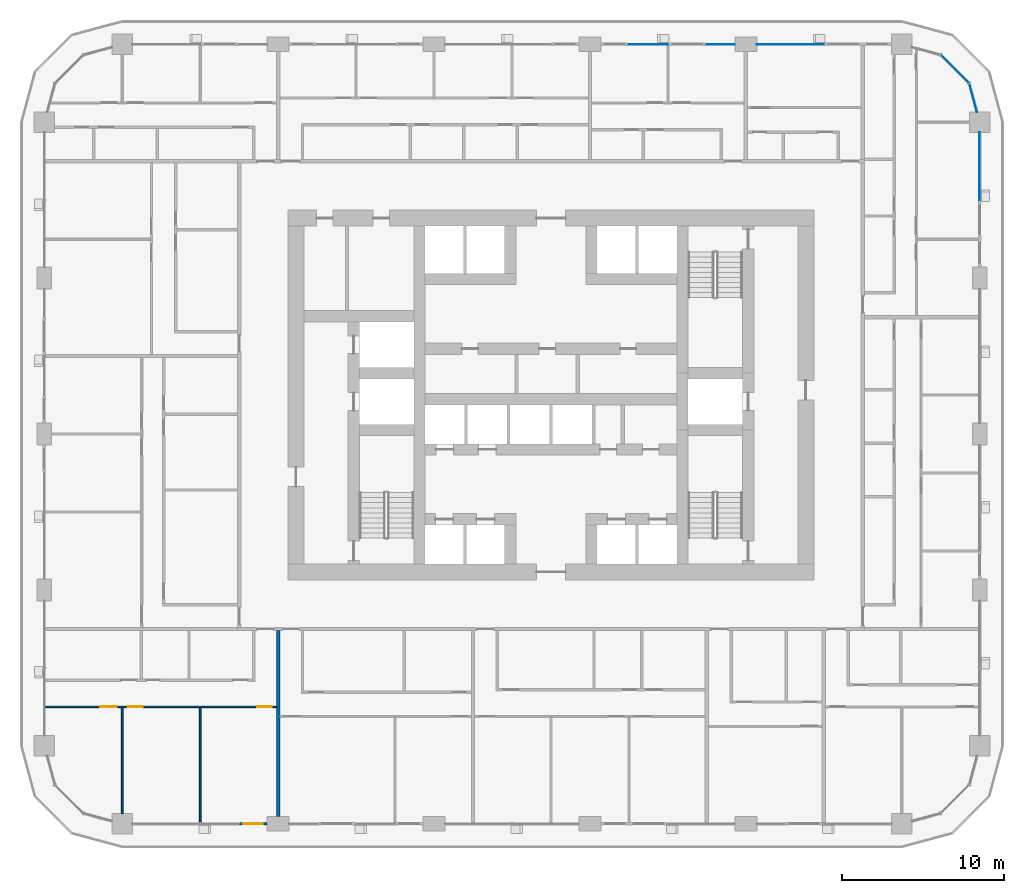
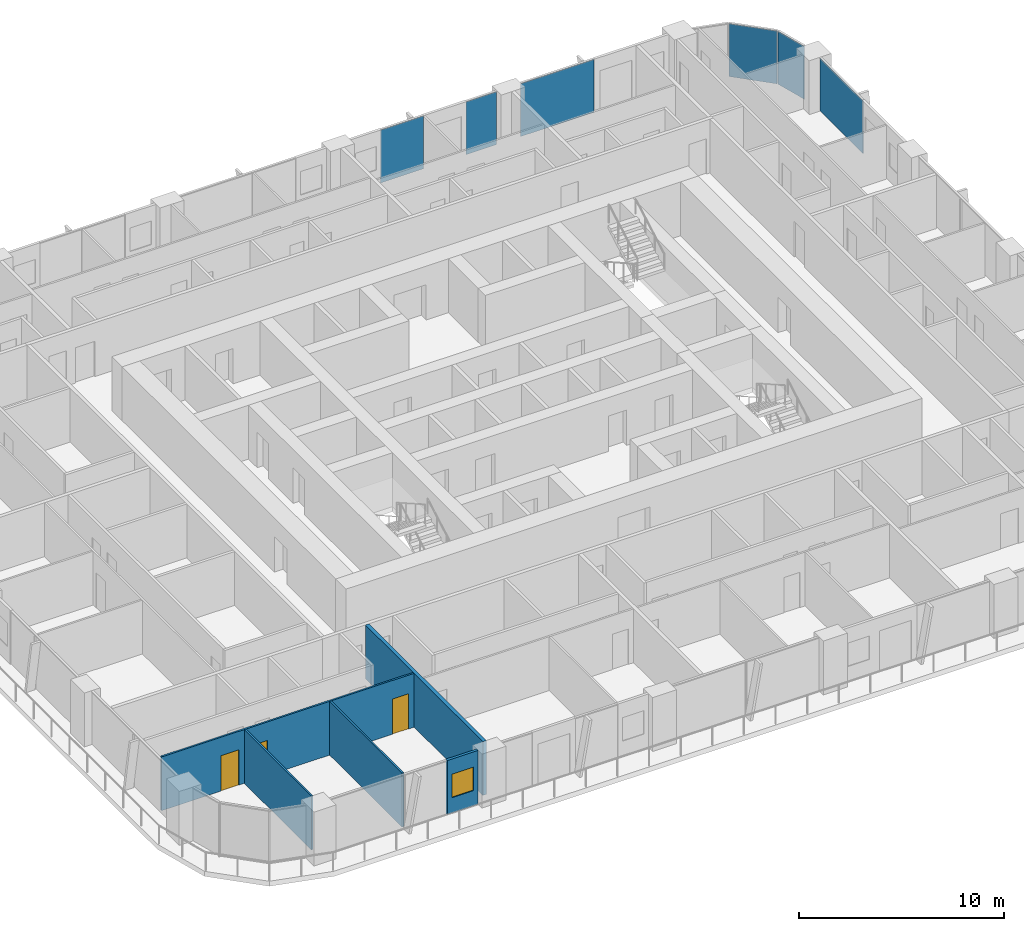
# One storey, part 8 of 21: 6 plates, 5 walls, 3 doors, 1 window, 4 openings, 4 elements without a shape of their own.
"""IFC4 building model written with IfcOpenShell, lengths in metres."""

import ifcopenshell
import ifcopenshell.guid

model = None  # the IFC model being written
_history = None  # IfcOwnerHistory: only IFC2X3 demands one
_inside = {}  # id of a spatial element -> (the spatial element, [elements in it])
_under = {}  # id of a project, library or spatial element -> (it, [spatial elements below it])
_declared = {}  # id of a project -> (the project, [libraries it declares])
_typed = {}  # id of a type object -> (the type object, [elements of that type])
_made_of = {}  # id of a material, layer set ... -> (it, [elements and type objects made of it])


def new_model(schema):
    """Start an empty IFC model of exactly this schema.

    Asked for "IFC4X3", IfcOpenShell would pick the latest addendum, in which some entities
    have other attributes; the version numbers below select the first issue.
    IFC2X3 requires an IfcOwnerHistory on every rooted entity: one is made here for all.
    """
    global model, _history
    if schema == "IFC4X3":
        model = ifcopenshell.file(schema_version=(4, 3, 0, 0))
    else:
        model = ifcopenshell.file(schema=schema)
    _inside.clear()
    _under.clear()
    _declared.clear()
    _typed.clear()
    _made_of.clear()
    _history = None
    if model.schema == "IFC2X3":
        org = make("IfcOrganization", Name="unknown")
        user = make(
            "IfcPersonAndOrganization",
            ThePerson=make("IfcPerson", FamilyName="unknown"),
            TheOrganization=org,
        )
        app = make(
            "IfcApplication",
            ApplicationDeveloper=org,
            Version="unknown",
            ApplicationFullName="unknown",
            ApplicationIdentifier="unknown",
        )
        _history = make(
            "IfcOwnerHistory",
            OwningUser=user,
            OwningApplication=app,
            ChangeAction="ADDED",
            CreationDate=0,
        )
    return model


def make(cls, **values):
    """One entity of the class cls with the attributes given. An attribute that is None is left unset."""
    return model.create_entity(
        cls, **{name: value for name, value in values.items() if value is not None}
    )


def rooted(cls, **values):
    """An entity with a GlobalId (a new one), such as an element, a storey or a relation."""
    return make(cls, GlobalId=ifcopenshell.guid.new(), OwnerHistory=_history, **values)


def si_unit(unit_type, name, prefix=None):
    """IfcSIUnit, for example si_unit("LENGTHUNIT", "METRE", prefix="MILLI")."""
    return make("IfcSIUnit", UnitType=unit_type, Prefix=prefix, Name=name)


def assignment(units):
    """IfcUnitAssignment: the units of a project."""
    return None if units is None else make("IfcUnitAssignment", Units=units)


def point(xyz):
    """IfcCartesianPoint."""
    return None if xyz is None else make("IfcCartesianPoint", Coordinates=xyz)


def direction(xyz):
    """IfcDirection."""
    return None if xyz is None else make("IfcDirection", DirectionRatios=xyz)


def frame(location, z_axis=None, x_axis=None):
    """IfcAxis2Placement3D, a coordinate frame: its origin and axes. An axis left out is left unset."""
    return make(
        "IfcAxis2Placement3D",
        Location=point(location),
        Axis=direction(z_axis),
        RefDirection=direction(x_axis),
    )


def frame_2d(location, x_axis=None):
    """IfcAxis2Placement2D, a coordinate frame in the plane: its origin and x axis."""
    return make(
        "IfcAxis2Placement2D", Location=point(location), RefDirection=direction(x_axis)
    )


def origin():
    """The frame at (0, 0, 0) with its axes left unset."""
    return frame((0.0, 0.0, 0.0))


def origin_2d():
    """The frame at (0, 0) in the plane with its x axis left unset."""
    return frame_2d((0.0, 0.0))


def place(relative_to, where):
    """IfcLocalPlacement: puts the frame where relative to a parent placement (None: the world)."""
    return make(
        "IfcLocalPlacement", PlacementRelTo=relative_to, RelativePlacement=where
    )


def context(
    kind, dimensions, precision=None, world=None, true_north=None, identifier=None
):
    """IfcGeometricRepresentationContext, for example the 3D "Model" context."""
    return make(
        "IfcGeometricRepresentationContext",
        ContextIdentifier=identifier,
        ContextType=kind,
        CoordinateSpaceDimension=dimensions,
        Precision=precision,
        WorldCoordinateSystem=world,
        TrueNorth=true_north,
    )


def subcontext(parent, identifier, kind, view, scale=None):
    """IfcGeometricRepresentationSubContext, for example "Body" below "Model"."""
    return make(
        "IfcGeometricRepresentationSubContext",
        ContextIdentifier=identifier,
        ContextType=kind,
        ParentContext=parent,
        TargetScale=scale,
        TargetView=view,
    )


def project(units=None, contexts=None):
    """IfcProject with its units and contexts."""
    return rooted(
        "IfcProject",
        Name="project",
        RepresentationContexts=contexts,
        UnitsInContext=assignment(units),
    )


def spatial(cls, under=None, at=None, **own):
    """A site, building, storey or space (cls), placed at a placement, below another one or the project."""
    s = rooted(cls, ObjectPlacement=at, **own)
    if under is not None:
        _under.setdefault(under.id(), (under, []))[1].append(s)
    return s


def profile(cls, at=None, kind="AREA", **sizes):
    """A parametric profile (cls). Its sizes go by their IFC names, for example OverallWidth=200.0."""
    return make(cls, ProfileType=kind, Position=at, **sizes)


def rectangle(**sizes):
    """IfcRectangleProfileDef."""
    return profile("IfcRectangleProfileDef", **sizes)


def extrude(swept, where, along, depth):
    """IfcExtrudedAreaSolid: the profile swept, set in the frame where, extruded along a direction by depth."""
    return make(
        "IfcExtrudedAreaSolid",
        SweptArea=swept,
        Position=where,
        ExtrudedDirection=direction(along),
        Depth=depth,
    )


def shape(context_of_items, identifier, shape_type, items):
    """IfcShapeRepresentation: the items that make up one representation, for example the "Body"."""
    return make(
        "IfcShapeRepresentation",
        ContextOfItems=context_of_items,
        RepresentationIdentifier=identifier,
        RepresentationType=shape_type,
        Items=items,
    )


def material(Name=None, Category=None):
    """IfcMaterial."""
    return make("IfcMaterial", Name=Name, Category=Category)


def layer(
    of_material, thickness, ventilated=None, Name=None, Category=None, Priority=None
):
    """IfcMaterialLayer: one layer of a wall or slab, of a material (None: an air gap)."""
    return make(
        "IfcMaterialLayer",
        Material=of_material,
        LayerThickness=thickness,
        IsVentilated=ventilated,
        Name=Name,
        Category=Category,
        Priority=Priority,
    )


def layer_set(layers, Name=None):
    """IfcMaterialLayerSet."""
    return make("IfcMaterialLayerSet", MaterialLayers=layers, LayerSetName=Name)


def made_of(thing, what):
    """Note that an element or type object is made of a material, layer set ...; save() writes the relation."""
    if what is not None:
        _made_of.setdefault(what.id(), (what, []))[1].append(thing)
    return thing


def type_object(cls, material=None, **own):
    """A type object (cls), such as IfcWallType, which elements share."""
    return made_of(rooted(cls, **own), material)


def element(
    cls,
    number,
    at=None,
    inside=None,
    cuts=None,
    type_object=None,
    material=None,
    context=None,
    identifier="Body",
    shape_type=None,
    held_by="IfcProductDefinitionShape",
    body=None,
    shapes=None,
    **own,
):
    """One element of the class cls, such as IfcWall. Its Tag is "e" and its number.

    at: its placement. inside: the storey or other place that contains it. cuts: it is an
    opening in that element (IfcRelVoidsElement). A single representation is given by context,
    identifier, shape_type and body (its items); several are given by shapes. held_by: the class
    of the entity that holds the representations. save() writes the other relations.
    """
    e = rooted(cls, Tag="e%d" % number, ObjectPlacement=at, **own)
    if body is not None:
        shapes = [shape(context, identifier, shape_type, body)]
    if shapes is not None:
        e.Representation = make(held_by, Representations=shapes)
    if inside is not None:
        _inside.setdefault(inside.id(), (inside, []))[1].append(e)
    if cuts is not None:
        rooted(
            "IfcRelVoidsElement", RelatingBuildingElement=cuts, RelatedOpeningElement=e
        )
    if type_object is not None:
        _typed.setdefault(type_object.id(), (type_object, []))[1].append(e)
    return made_of(e, material)


def fill(opening, filler):
    """IfcRelFillsElement: the door or window that sits in an opening."""
    return rooted(
        "IfcRelFillsElement",
        RelatingOpeningElement=opening,
        RelatedBuildingElement=filler,
    )


def aggregate(whole, parts):
    """IfcRelAggregates: a whole, such as a stair, and the parts it consists of."""
    return rooted("IfcRelAggregates", RelatingObject=whole, RelatedObjects=parts)


def save(model, path):
    """Write the relations noted so far, then the file.

    IfcRelAggregates (storeys below a building ...), IfcRelContainedInSpatialStructure (elements
    in a storey), IfcRelDefinesByType, IfcRelAssociatesMaterial and IfcRelDeclares: one each for
    every whole, place, type object, material and project.
    """
    for whole, parts in _under.values():
        aggregate(whole, parts)
    for where, things in _inside.values():
        rooted(
            "IfcRelContainedInSpatialStructure",
            RelatedElements=things,
            RelatingStructure=where,
        )
    for kind, things in _typed.values():
        rooted("IfcRelDefinesByType", RelatedObjects=things, RelatingType=kind)
    for what, things in _made_of.values():
        rooted("IfcRelAssociatesMaterial", RelatedObjects=things, RelatingMaterial=what)
    for by, libraries in _declared.values():
        rooted("IfcRelDeclares", RelatingContext=by, RelatedDefinitions=libraries)
    model.write(path)


model = new_model("IFC4")

# Units and contexts
model_context = context("Model", 3, precision=1e-05, world=origin(), true_north=direction((0.0, 1.0)))
body_context = subcontext(model_context, "Body", "Model", "MODEL_VIEW")
ifc_project = project(units=[si_unit("LENGTHUNIT", "METRE"), si_unit("AREAUNIT", "SQUARE_METRE"), si_unit("VOLUMEUNIT", "CUBIC_METRE"), si_unit("PLANEANGLEUNIT", "RADIAN"), si_unit("MASSUNIT", "GRAM", prefix="KILO")], contexts=[model_context])

# Site, building, storey
site_placement = place(None, origin())
site = spatial("IfcSite", under=ifc_project, at=site_placement, CompositionType="ELEMENT")
building_placement = place(site_placement, origin())
building = spatial("IfcBuilding", under=site, at=building_placement, Name="Madar Terraces", CompositionType="ELEMENT")
storey_placement = place(building_placement, frame((0.0, 0.0, 32.89990234375)))
storey = spatial("IfcBuildingStorey", under=building, at=storey_placement, Name="L07", CompositionType="ELEMENT", Elevation=32.89990234375)

# Curtain wall, plate
ifc_material_1 = material(Name="Glass, ceramic frit dark grey, with black aluminium frame", Category="aluminium")
ifc_layer_1 = layer(ifc_material_1, 0.199951171875)
ifc_layer_set_1 = layer_set([ifc_layer_1], Name="Facade curtain wall, fritted glass")
curtain_wall_type = type_object("IfcCurtainWallType", Name="Facade curtain wall, fritted glass", PredefinedType="NOTDEFINED", material=ifc_layer_set_1)
curtain_wall_1_placement = place(storey_placement, origin())
curtain_wall_1 = element("IfcCurtainWall", 1, at=curtain_wall_1_placement, inside=storey, type_object=curtain_wall_type, Name="Outer skin curtain wall east bay 4", PredefinedType="NOTDEFINED")
ifc_material_2 = material(Name="Glass, ceramic frit dark grey", Category="glass")
ifc_layer_2 = layer(ifc_material_2, 0.028076171875)
ifc_layer_set_2 = layer_set([ifc_layer_2], Name="Facade glass panel 28")
plate_type = type_object("IfcPlateType", Name="Facade glass panel 28", PredefinedType="CURTAIN_PANEL", material=ifc_layer_set_2)
plate_1_placement = place(storey_placement, frame((57.60009765625, 40.487548828125, 0.0), z_axis=(0.0, 0.0, 1.0), x_axis=(0.0, 1.0, 0.0)))
plate_1 = element("IfcPlate", 2, at=plate_1_placement, type_object=plate_type, Name="Panel 1", PredefinedType="CURTAIN_PANEL", context=body_context, shape_type="SweptSolid", body=[
    extrude(rectangle(XDim=4.175048828125, YDim=0.028076171875, at=origin_2d()), origin(), (0.0, 0.0, 1.0), 3.139892578125),
])
aggregate(curtain_wall_1, [plate_1])

curtain_wall_2_placement = place(storey_placement, origin())
curtain_wall_2 = element("IfcCurtainWall", 3, at=curtain_wall_2_placement, inside=storey, type_object=curtain_wall_type, Name="Outer skin curtain wall north bay 1", PredefinedType="NOTDEFINED")
plate_2_placement = place(storey_placement, frame((45.9375, 48.0, 0.0), z_axis=(0.0, 0.0, 1.0), x_axis=(-1.0, 0.0, 0.0)))
plate_2 = element("IfcPlate", 4, at=plate_2_placement, type_object=plate_type, Name="Panel 1", PredefinedType="CURTAIN_PANEL", context=body_context, shape_type="SweptSolid", body=[
    extrude(rectangle(XDim=4.125, YDim=0.028076171875, at=origin_2d()), origin(), (0.0, 0.0, 1.0), 3.139892578125),
])
aggregate(curtain_wall_2, [plate_2])

# Curtain wall, plates
curtain_wall_3_placement = place(storey_placement, origin())
curtain_wall_3 = element("IfcCurtainWall", 5, at=curtain_wall_3_placement, inside=storey, type_object=curtain_wall_type, Name="Outer skin curtain wall north bay 2", PredefinedType="NOTDEFINED")
plate_3_placement = place(storey_placement, frame((41.66259765625, 48.0, 0.0), z_axis=(0.0, 0.0, 1.0), x_axis=(-1.0, 0.0, 0.0)))
plate_3 = element("IfcPlate", 6, at=plate_3_placement, type_object=plate_type, Name="Panel 1", PredefinedType="CURTAIN_PANEL", context=body_context, shape_type="SweptSolid", body=[
    extrude(rectangle(XDim=1.72509765625, YDim=0.028076171875, at=origin_2d()), origin(), (0.0, 0.0, 1.0), 3.139892578125),
])
plate_4_placement = place(storey_placement, frame((37.199951171875, 48.0, 0.0), z_axis=(0.0, 0.0, 1.0), x_axis=(-1.0, 0.0, 0.0)))
plate_4 = element("IfcPlate", 7, at=plate_4_placement, type_object=plate_type, Name="Panel 2", PredefinedType="CURTAIN_PANEL", context=body_context, shape_type="SweptSolid", body=[
    extrude(rectangle(XDim=2.39990234375, YDim=0.028076171875, at=origin_2d()), origin(), (0.0, 0.0, 1.0), 3.139892578125),
])
aggregate(curtain_wall_3, [plate_3, plate_4])

curtain_wall_4_placement = place(storey_placement, origin())
curtain_wall_4 = element("IfcCurtainWall", 8, at=curtain_wall_4_placement, inside=storey, type_object=curtain_wall_type, Name="Outer skin curtain wall north-east corner", PredefinedType="NOTDEFINED")
plate_5_placement = place(storey_placement, frame((57.19873046875, 44.697998046875, 0.0), z_axis=(0.0, 0.0, 1.0), x_axis=(-0.258819021888, 0.965925832509, 0.0)))
plate_5 = element("IfcPlate", 9, at=plate_5_placement, type_object=plate_type, Name="Panel 1", PredefinedType="CURTAIN_PANEL", context=body_context, shape_type="SweptSolid", body=[
    extrude(rectangle(XDim=1.8076171875, YDim=0.028076171875, at=origin_2d()), origin(), (0.0, 0.0, 1.0), 3.139892578125),
])
plate_6_placement = place(storey_placement, frame((56.078369140625, 46.478515625, 0.0), z_axis=(0.0, 0.0, 1.0), x_axis=(-0.707106781187, 0.707106781187, 0.0)))
plate_6 = element("IfcPlate", 10, at=plate_6_placement, type_object=plate_type, Name="Panel 2", PredefinedType="CURTAIN_PANEL", context=body_context, shape_type="SweptSolid", body=[
    extrude(rectangle(XDim=2.424560546875, YDim=0.028076171875, at=origin_2d()), origin(), (0.0, 0.0, 1.0), 3.139892578125),
])
aggregate(curtain_wall_4, [plate_5, plate_6])

# Wall, opening, window
ifc_material_3 = material(Name="Aluminium composite panel, black, over insulated backing", Category="aluminium")
ifc_layer_3 = layer(ifc_material_3, 0.14990234375)
ifc_layer_set_3 = layer_set([ifc_layer_3], Name="Facade bay panel 150")
wall_type_1 = type_object("IfcWallType", Name="Facade bay panel 150", PredefinedType="SOLIDWALL", material=ifc_layer_set_3)
wall_1_placement = place(storey_placement, frame((12.0, 0.0, 0.0), z_axis=(0.0, 0.0, 1.0), x_axis=(1.0, 0.0, 0.0)))
wall_1 = element("IfcWall", 11, at=wall_1_placement, inside=storey, type_object=wall_type_1, Name="Facade bay panel", PredefinedType="SOLIDWALL", context=body_context, shape_type="SweptSolid", body=[
    extrude(rectangle(XDim=1.72509765625, YDim=0.14990234375, at=frame_2d((0.862548828125, 0.0))), origin(), (0.0, 0.0, 1.0), 3.2001953125),
])
opening_1_placement = place(wall_1_placement, frame((0.262451171875, 0.0, 0.89990234375)))
opening_1 = element("IfcOpeningElement", 12, at=opening_1_placement, cuts=wall_1, Name="Opening W1", PredefinedType="OPENING", context=body_context, shape_type="SweptSolid", body=[
    extrude(rectangle(XDim=1.199951171875, YDim=1.39990234375, at=frame_2d((0.60009765625, 0.699951171875))), frame((0.0, 0.0849609375, 0.0), z_axis=(0.0, -1.0, 0.0), x_axis=(1.0, 0.0, 0.0)), (0.0, 0.0, 1.0), 0.169921875),
])
ifc_material_4 = material(Name="Glass, clear, with black aluminium frame", Category="aluminium")
window_type = type_object("IfcWindowType", Name="Vent window 1200 x 1400", PartitioningType="SINGLE_PANEL", PredefinedType="WINDOW", material=ifc_material_4)
window_placement = place(opening_1_placement, origin())
window = element("IfcWindow", 13, at=window_placement, inside=storey, type_object=window_type, Name="Operable vent window", OverallHeight=1.39990234375, OverallWidth=1.199951171875, PartitioningType="SINGLE_PANEL", PredefinedType="WINDOW", context=body_context, shape_type="SweptSolid", body=[
    extrude(rectangle(XDim=1.199951171875, YDim=1.39990234375, at=frame_2d((0.60009765625, 0.699951171875))), frame((0.0, 0.030029296875, 0.0), z_axis=(0.0, -1.0, 0.0), x_axis=(1.0, 0.0, 0.0)), (0.0, 0.0, 1.0), 0.06005859375),
])
fill(opening_1, window)

# Walls
ifc_material_5 = material(Name="Gypsum board on steel studs", Category="steel")
ifc_layer_4 = layer(ifc_material_5, 0.10009765625)
ifc_layer_set_4 = layer_set([ifc_layer_4], Name="Flat partition 100")
wall_type_2 = type_object("IfcWallType", Name="Flat partition 100", PredefinedType="PARTITIONING", material=ifc_layer_set_4)
wall_2_placement = place(storey_placement, frame((9.60009765625, 7.14990234375, 0.0), z_axis=(0.0, 0.0, 1.0), x_axis=(0.0, -1.0, 0.0)))
element("IfcWall", 14, at=wall_2_placement, inside=storey, type_object=wall_type_2, Name="Flat partition 100", PredefinedType="PARTITIONING", context=body_context, shape_type="SweptSolid", body=[
    extrude(rectangle(XDim=7.0498046875, YDim=0.10009765625, at=frame_2d((3.52490234375, 0.0))), origin(), (0.0, 0.0, 1.0), 3.2001953125),
])
wall_3_placement = place(storey_placement, frame((4.800048828125, 7.14990234375, 0.0), z_axis=(0.0, 0.0, 1.0), x_axis=(0.0, -1.0, 0.0)))
element("IfcWall", 15, at=wall_3_placement, inside=storey, type_object=wall_type_2, Name="Flat partition 100", PredefinedType="PARTITIONING", context=body_context, shape_type="SweptSolid", body=[
    extrude(rectangle(XDim=6.52490234375, YDim=0.10009765625, at=frame_2d((3.262451171875, 0.0))), origin(), (0.0, 0.0, 1.0), 3.2001953125),
])

# Wall, openings, doors
wall_4_placement = place(storey_placement, frame((14.300048828125, 7.199951171875, 0.0), z_axis=(0.0, 0.0, 1.0), x_axis=(-1.0, 0.0, 0.0)))
wall_4 = element("IfcWall", 16, at=wall_4_placement, inside=storey, type_object=wall_type_2, Name="Flat partition 100", PredefinedType="PARTITIONING", context=body_context, shape_type="SweptSolid", body=[
    extrude(rectangle(XDim=14.199951171875, YDim=0.10009765625, at=frame_2d((7.10009765625, 0.0))), origin(), (0.0, 0.0, 1.0), 3.2001953125),
])
opening_2_placement = place(wall_4_placement, frame((0.300048828125, 0.0, 0.0)))
opening_2 = element("IfcOpeningElement", 17, at=opening_2_placement, cuts=wall_4, Name="Opening D2", PredefinedType="OPENING", context=body_context, shape_type="SweptSolid", body=[
    extrude(rectangle(XDim=0.89990234375, YDim=2.10009765625, at=frame_2d((0.449951171875, 1.050048828125))), frame((0.0, 0.06005859375, 0.0), z_axis=(0.0, -1.0, 0.0), x_axis=(1.0, 0.0, 0.0)), (0.0, 0.0, 1.0), 0.1201171875),
])
opening_3_placement = place(wall_4_placement, frame((8.25, 0.0, 0.0)))
opening_3 = element("IfcOpeningElement", 18, at=opening_3_placement, cuts=wall_4, Name="Opening D2", PredefinedType="OPENING", context=body_context, shape_type="SweptSolid", body=[
    extrude(rectangle(XDim=0.89990234375, YDim=2.10009765625, at=frame_2d((0.449951171875, 1.050048828125))), frame((0.0, 0.06005859375, 0.0), z_axis=(0.0, -1.0, 0.0), x_axis=(1.0, 0.0, 0.0)), (0.0, 0.0, 1.0), 0.1201171875),
])
opening_4_placement = place(wall_4_placement, frame((9.85009765625, 0.0, 0.0)))
opening_4 = element("IfcOpeningElement", 19, at=opening_4_placement, cuts=wall_4, Name="Opening D3", PredefinedType="OPENING", context=body_context, shape_type="SweptSolid", body=[
    extrude(rectangle(XDim=1.0, YDim=2.10009765625, at=frame_2d((0.5, 1.050048828125))), frame((0.0, 0.06005859375, 0.0), z_axis=(0.0, -1.0, 0.0), x_axis=(1.0, 0.0, 0.0)), (0.0, 0.0, 1.0), 0.1201171875),
])
ifc_material_6 = material(Name="Timber door leaf", Category="wood")
door_type_1 = type_object("IfcDoorType", Name="Flat living room door 1000", OperationType="NOTDEFINED", PredefinedType="DOOR", material=ifc_material_6)
door_1_placement = place(opening_4_placement, origin())
door_1 = element("IfcDoor", 20, at=door_1_placement, inside=storey, type_object=door_type_1, Name="Flat living room door 1000", OperationType="SINGLE_SWING_LEFT", OverallHeight=2.10009765625, OverallWidth=1.0, PredefinedType="DOOR", context=body_context, shape_type="SweptSolid", body=[
    extrude(rectangle(XDim=1.0, YDim=2.10009765625, at=frame_2d((0.5, 1.050048828125))), frame((0.0, 0.02490234375, 0.0), z_axis=(0.0, -1.0, 0.0), x_axis=(1.0, 0.0, 0.0)), (0.0, 0.0, 1.0), 0.050048828125),
])
fill(opening_4, door_1)
ifc_material_7 = material(Name="Timber door leaf", Category="wood")
door_type_2 = type_object("IfcDoorType", Name="Flat room door 900", OperationType="NOTDEFINED", PredefinedType="DOOR", material=ifc_material_7)
door_2_placement = place(opening_2_placement, origin())
door_2 = element("IfcDoor", 21, at=door_2_placement, inside=storey, type_object=door_type_2, Name="Flat room door 900", OperationType="SINGLE_SWING_LEFT", OverallHeight=2.10009765625, OverallWidth=0.89990234375, PredefinedType="DOOR", context=body_context, shape_type="SweptSolid", body=[
    extrude(rectangle(XDim=0.89990234375, YDim=2.10009765625, at=frame_2d((0.449951171875, 1.050048828125))), frame((0.0, 0.02490234375, 0.0), z_axis=(0.0, -1.0, 0.0), x_axis=(1.0, 0.0, 0.0)), (0.0, 0.0, 1.0), 0.050048828125),
])
fill(opening_2, door_2)
door_3_placement = place(opening_3_placement, origin())
door_3 = element("IfcDoor", 22, at=door_3_placement, inside=storey, type_object=door_type_2, Name="Flat room door 900", OperationType="SINGLE_SWING_RIGHT", OverallHeight=2.10009765625, OverallWidth=0.89990234375, PredefinedType="DOOR", context=body_context, shape_type="SweptSolid", body=[
    extrude(rectangle(XDim=0.89990234375, YDim=2.10009765625, at=frame_2d((0.449951171875, 1.050048828125))), frame((0.0, 0.02490234375, 0.0), z_axis=(0.0, -1.0, 0.0), x_axis=(1.0, 0.0, 0.0)), (0.0, 0.0, 1.0), 0.050048828125),
])
fill(opening_3, door_3)

# Wall
ifc_material_8 = material(Name="Lightweight blockwork", Category="masonry")
ifc_layer_5 = layer(ifc_material_8, 0.199951171875)
ifc_layer_set_5 = layer_set([ifc_layer_5], Name="Flat party and entrance wall 200")
wall_type_3 = type_object("IfcWallType", Name="Flat party and entrance wall 200", PredefinedType="PARTITIONING", material=ifc_layer_set_5)
wall_5_placement = place(storey_placement, frame((14.39990234375, 11.89990234375, 0.0), z_axis=(0.0, 0.0, 1.0), x_axis=(0.0, -1.0, 0.0)))
element("IfcWall", 23, at=wall_5_placement, inside=storey, type_object=wall_type_3, Name="Flat party and entrance wall 200", PredefinedType="PARTITIONING", context=body_context, shape_type="SweptSolid", body=[
    extrude(rectangle(XDim=11.449951171875, YDim=0.199951171875, at=frame_2d((5.72509765625, 0.0))), origin(), (0.0, 0.0, 1.0), 3.2001953125),
])

save(model, "model.ifc")
